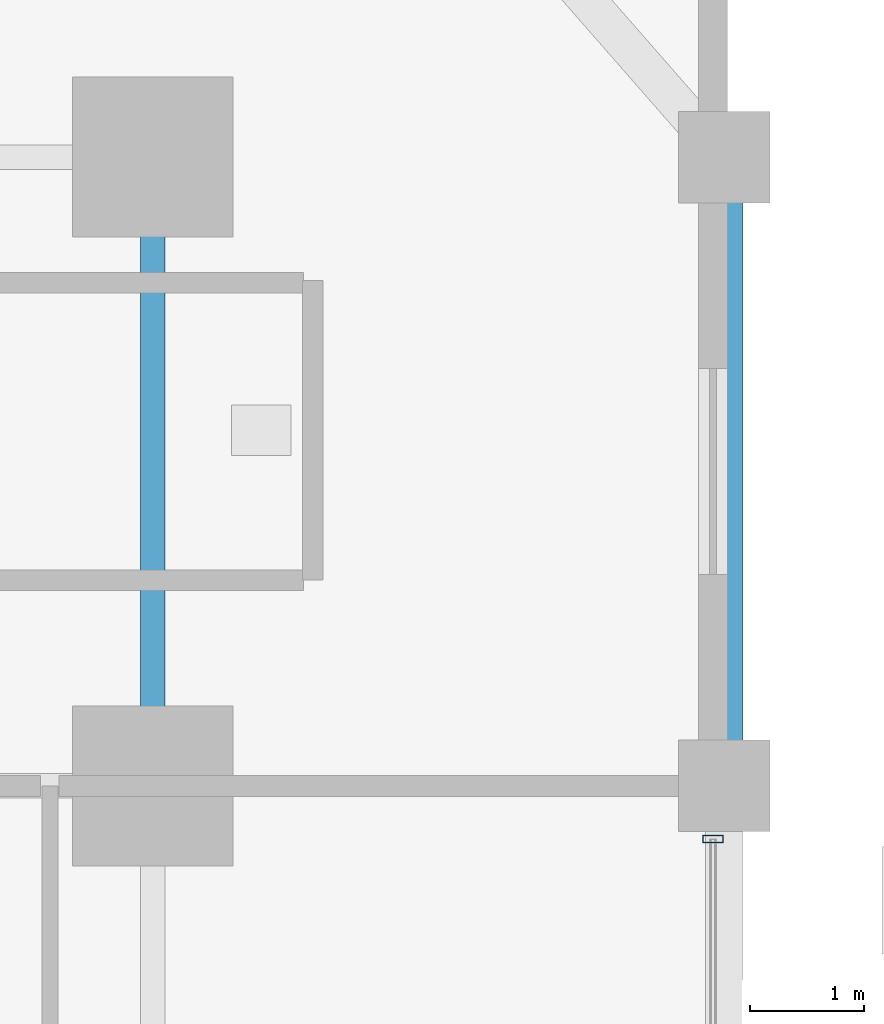
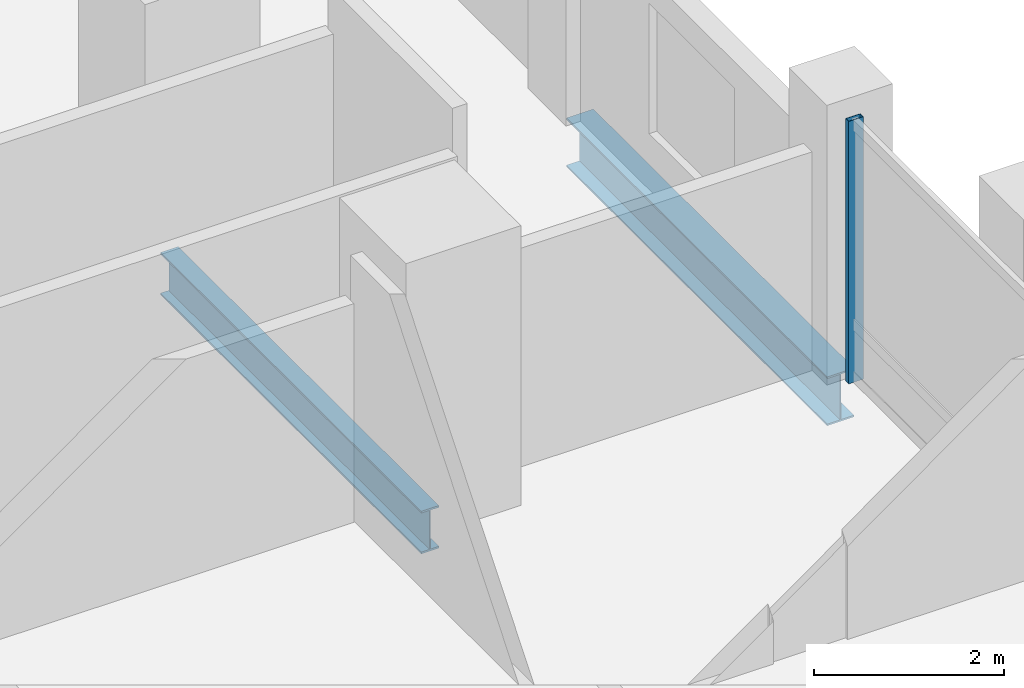
# One storey, part 15 of 23: 2 beams, 1 member, 1 element without a shape of its own.
"""IFC4 building model written with IfcOpenShell, lengths in metres."""

from ifc_helpers import new_model, si_unit, direction, frame, origin, origin_2d, place, context, subcontext, project, spatial, hollow_rectangle, i_section, extrude, material, layer, layer_set, material_profile, profile_set, type_object, element, aggregate, save


model = new_model("IFC4")

# Units and contexts
model_context = context("Model", 3, precision=1e-05, world=origin(), true_north=direction((0.0, 1.0)))
body_context = subcontext(model_context, "Body", "Model", "MODEL_VIEW")
ifc_project = project(units=[si_unit("LENGTHUNIT", "METRE"), si_unit("AREAUNIT", "SQUARE_METRE"), si_unit("VOLUMEUNIT", "CUBIC_METRE"), si_unit("PLANEANGLEUNIT", "RADIAN"), si_unit("MASSUNIT", "GRAM", prefix="KILO")], contexts=[model_context])

# Site, building, storey
site_placement = place(None, origin())
site = spatial("IfcSite", under=ifc_project, at=site_placement, CompositionType="ELEMENT")
building_placement = place(site_placement, origin())
building = spatial("IfcBuilding", under=site, at=building_placement, Name="Barlavira Tower and Art Museum", CompositionType="ELEMENT")
storey_placement = place(building_placement, frame((0.0, 0.0, 54.0)))
storey = spatial("IfcBuildingStorey", under=building, at=storey_placement, Name="L12", CompositionType="ELEMENT", Elevation=54.0)

# Curtain wall, member
ifc_material_1 = material(Name="Low-iron coastal laminated glass", Category="glass")
ifc_layer = layer(ifc_material_1, 0.179931640625, Name="Low-iron coastal laminated glass")
ifc_layer_set = layer_set([ifc_layer], Name="Low-iron coastal laminated glass")
curtain_wall_type = type_object("IfcCurtainWallType", Name="Pale-Metal Unitised Curtain Wall Zone 1", PredefinedType="NOTDEFINED", material=ifc_layer_set)
curtain_wall_placement = place(storey_placement, origin())
curtain_wall = element("IfcCurtainWall", 1, at=curtain_wall_placement, inside=storey, type_object=curtain_wall_type, Name="L12 Curtain Wall CW1-L12-E-B3", PredefinedType="NOTDEFINED")
ifc_material_2 = material(Name="Pale anodised aluminium", Category="aluminium")
ifc_material_profile_1 = material_profile(ifc_material_2, hollow_rectangle(XDim=0.06494140625, YDim=0.179931640625, WallThickness=0.00390625, at=origin_2d()), Name="ALU-MULL 65x180x4")
ifc_profile_set_1 = profile_set([ifc_material_profile_1], Name="Pale anodised aluminium")
member_type = type_object("IfcMemberType", Name="Curtain Wall Pale-Metal Mullion 65x180", PredefinedType="MULLION", material=ifc_profile_set_1)
member_placement = place(storey_placement, frame((21.89990234375, 7.034912109375, 0.0), z_axis=(0.0, 0.0, 1.0), x_axis=(0.0, 1.0, 0.0)))
member = element("IfcMember", 2, at=member_placement, type_object=member_type, Name="CW1-L12-E-B3 Mullion 3", PredefinedType="MULLION", context=body_context, shape_type="SweptSolid", body=[
    extrude(hollow_rectangle(XDim=0.06494140625, YDim=0.179931640625, WallThickness=0.00390625, at=origin_2d()), origin(), (0.0, 0.0, 1.0), 3.3798828125),
])
aggregate(curtain_wall, [member])

# Beams
ifc_material_3 = material(Name="Steel S355", Category="steel")
ifc_material_profile_2 = material_profile(ifc_material_3, i_section(OverallWidth=0.327880859375, OverallDepth=0.62890625, WebThickness=0.013916015625, FlangeThickness=0.021484375, at=origin_2d()), Name="W610x174.0")
ifc_profile_set_2 = profile_set([ifc_material_profile_2], Name="Steel S355")
beam_type_1 = type_object("IfcBeamType", Name="Perimeter Spandrel Edge Beam W610x174 Steel S355", PredefinedType="SPANDREL", material=ifc_profile_set_2)
beam_1_placement = place(storey_placement, frame((22.0, 7.5, -0.534423828125), z_axis=(0.0, 1.0, 0.0), x_axis=(-1.0, 0.0, 0.0)))
element("IfcBeam", 3, at=beam_1_placement, inside=storey, type_object=beam_type_1, Name="L12 Spandrel 7", PredefinedType="SPANDREL", context=body_context, shape_type="SweptSolid", body=[
    extrude(i_section(OverallWidth=0.327880859375, OverallDepth=0.62890625, WebThickness=0.013916015625, FlangeThickness=0.021484375, at=origin_2d()), origin(), (0.0, 0.0, 1.0), 5.5),
])
ifc_material_profile_3 = material_profile(ifc_material_3, i_section(OverallWidth=0.214111328125, OverallDepth=0.549072265625, WebThickness=0.0146484375, FlangeThickness=0.023681640625, at=origin_2d()), Name="W530x138.0")
ifc_profile_set_3 = profile_set([ifc_material_profile_3], Name="Steel S355")
beam_type_2 = type_object("IfcBeamType", Name="Zone 1 Primary Floor Girder W530x138 Steel S355", PredefinedType="BEAM", material=ifc_profile_set_3)
beam_2_placement = place(storey_placement, frame((17.0, 7.5, -0.494384765625), z_axis=(0.0, 1.0, 0.0), x_axis=(-1.0, 0.0, 0.0)))
element("IfcBeam", 4, at=beam_2_placement, inside=storey, type_object=beam_type_2, Name="L12 Girder M-E3", PredefinedType="BEAM", context=body_context, shape_type="SweptSolid", body=[
    extrude(i_section(OverallWidth=0.214111328125, OverallDepth=0.549072265625, WebThickness=0.0146484375, FlangeThickness=0.023681640625, at=origin_2d()), origin(), (0.0, 0.0, 1.0), 5.5),
])

save(model, "model.ifc")
